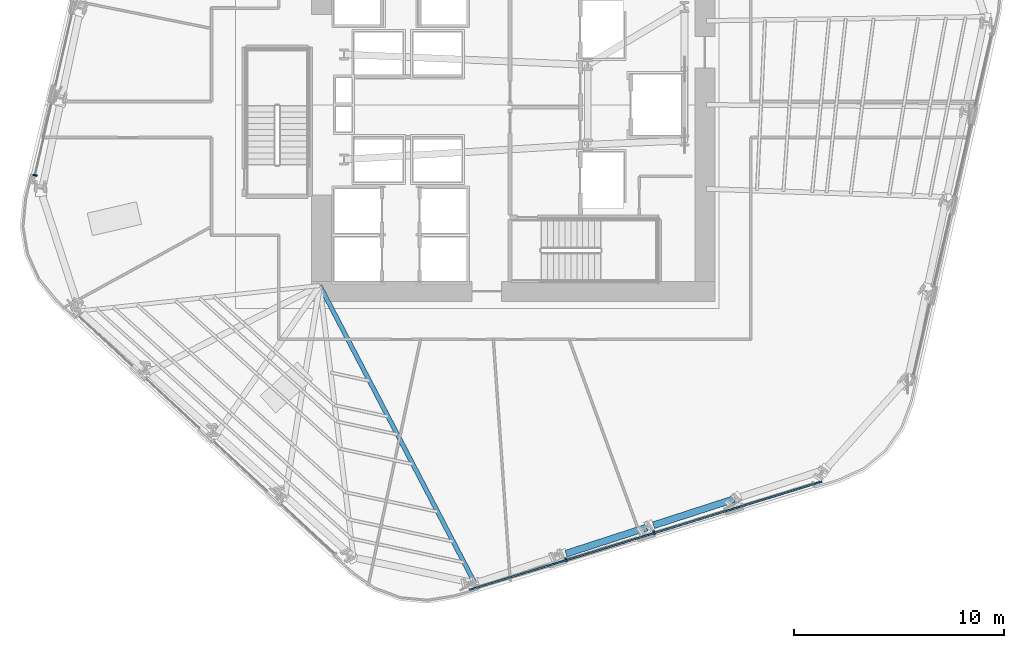
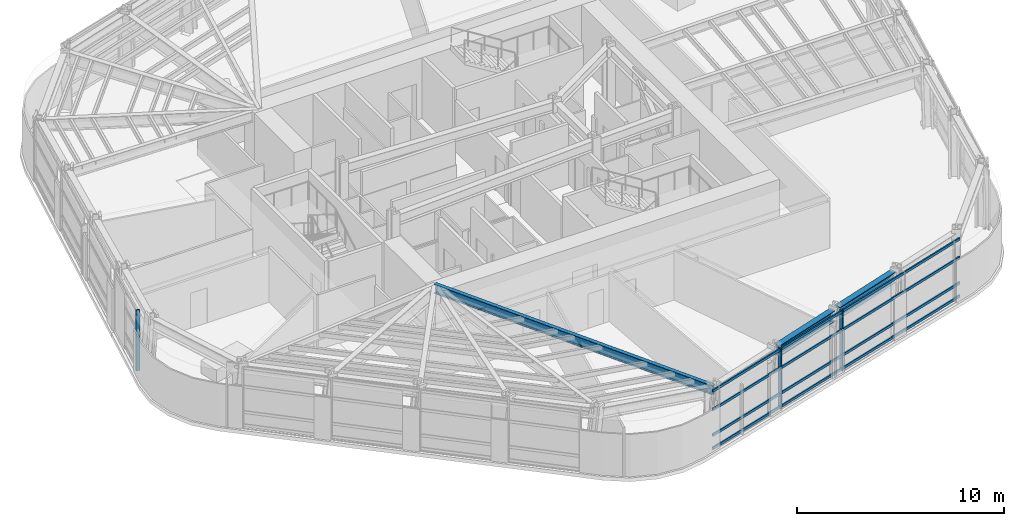
# One storey, part 3 of 16: 7 members, 3 beams, 2 elements without a shape of their own.
"""IFC4 building model written with IfcOpenShell, lengths in metres."""

from ifc_helpers import new_model, si_unit, direction, frame, origin, origin_2d, place, context, subcontext, project, spatial, rectangle, i_section, extrude, material, layer, layer_set, material_profile, profile_set, type_object, element, aggregate, save


model = new_model("IFC4")

# Units and contexts
model_context = context("Model", 3, precision=1e-05, world=origin(), true_north=direction((0.0, 1.0)))
body_context = subcontext(model_context, "Body", "Model", "MODEL_VIEW")
ifc_project = project(units=[si_unit("LENGTHUNIT", "METRE"), si_unit("AREAUNIT", "SQUARE_METRE"), si_unit("VOLUMEUNIT", "CUBIC_METRE"), si_unit("PLANEANGLEUNIT", "RADIAN"), si_unit("MASSUNIT", "GRAM", prefix="KILO")], contexts=[model_context])

# Site, building, storey
site_placement = place(None, origin())
site = spatial("IfcSite", under=ifc_project, at=site_placement, CompositionType="ELEMENT")
building_placement = place(site_placement, origin())
building = spatial("IfcBuilding", under=site, at=building_placement, Name="Valkerne Bourse Tower", CompositionType="ELEMENT")
storey_placement = place(building_placement, frame((0.0, 0.0, 97.199951171875)))
storey = spatial("IfcBuildingStorey", under=building, at=storey_placement, Name="L24", CompositionType="ELEMENT", Elevation=97.199951171875)

# Beams
ifc_material_1 = material(Name="Steel ASTM A992", Category="steel")
ifc_material_profile_1 = material_profile(ifc_material_1, i_section(OverallWidth=0.2138671875, OverallDepth=0.548583984375, WebThickness=0.0146484375, FlangeThickness=0.023681640625, FilletRadius=0.017822265625, at=origin_2d()), Name="W21X93")
ifc_profile_set_1 = profile_set([ifc_material_profile_1], Name="Steel ASTM A992")
beam_type_1 = type_object("IfcBeamType", Name="BM-W21X93", PredefinedType="BEAM", material=ifc_profile_set_1)
beam_1_placement = place(storey_placement, frame((44.9794921875, 4.235595703125, 3.3056640625), z_axis=(-0.462040380307, 0.886858887854, 0.0), x_axis=(-0.886858887854, -0.462040380307, 0.0)))
element("IfcBeam", 1, at=beam_1_placement, inside=storey, type_object=beam_type_1, Name="L24 Radial Composite Floor Beam 20", PredefinedType="BEAM", context=body_context, shape_type="SweptSolid", body=[
    extrude(i_section(OverallWidth=0.2138671875, OverallDepth=0.548583984375, WebThickness=0.0146484375, FlangeThickness=0.023681640625, FilletRadius=0.017822265625, at=origin_2d()), origin(), (0.0, 0.0, 1.0), 15.971435546875),
])
ifc_material_profile_2 = material_profile(ifc_material_1, i_section(OverallWidth=0.330078125, OverallDepth=0.647705078125, WebThickness=0.0205078125, FlangeThickness=0.037109375, FilletRadius=0.020263671875, at=origin_2d()), Name="W24X192")
ifc_profile_set_2 = profile_set([ifc_material_profile_2], Name="Steel ASTM A992")
beam_type_2 = type_object("IfcBeamType", Name="BM-W24X192", PredefinedType="SPANDREL", material=ifc_profile_set_2)
beam_2_placement = place(storey_placement, frame((49.309814453125, 5.642578125, 3.25634765625), z_axis=(0.951059361148, 0.309008238681, 0.0), x_axis=(-0.309008238681, 0.951059361148, 0.0)))
element("IfcBeam", 2, at=beam_2_placement, inside=storey, type_object=beam_type_2, Name="L24 Hexagonal Spandrel Ring Beam 21", PredefinedType="SPANDREL", context=body_context, shape_type="SweptSolid", body=[
    extrude(i_section(OverallWidth=0.330078125, OverallDepth=0.647705078125, WebThickness=0.0205078125, FlangeThickness=0.037109375, FilletRadius=0.020263671875, at=origin_2d()), origin(), (0.0, 0.0, 1.0), 4.042724609375),
])
beam_3_placement = place(storey_placement, frame((53.478271484375, 6.996826171875, 3.25634765625), z_axis=(0.951041612609, 0.309062859441, 0.0), x_axis=(-0.309062859441, 0.951041612609, 0.0)))
element("IfcBeam", 3, at=beam_3_placement, inside=storey, type_object=beam_type_2, Name="L24 Hexagonal Spandrel Ring Beam 22", PredefinedType="SPANDREL", context=body_context, shape_type="SweptSolid", body=[
    extrude(i_section(OverallWidth=0.330078125, OverallDepth=0.647705078125, WebThickness=0.0205078125, FlangeThickness=0.037109375, FilletRadius=0.020263671875, at=origin_2d()), origin(), (0.0, 0.0, 1.0), 4.04296875),
])

# Curtain wall, member
ifc_material_2 = material(Name="Aluminium AA 6063-T6", Category="aluminium")
ifc_layer = layer(ifc_material_2, 0.22998046875)
ifc_layer_set = layer_set([ifc_layer], Name="Aluminium AA 6063-T6")
curtain_wall_type = type_object("IfcCurtainWallType", Name="CW-02", PredefinedType="NOTDEFINED", material=ifc_layer_set)
curtain_wall_1_placement = place(storey_placement, origin())
curtain_wall_1 = element("IfcCurtainWall", 4, at=curtain_wall_1_placement, inside=storey, type_object=curtain_wall_type, Name="L24 Hexagonal Stick Curtain Wall Face 3", PredefinedType="NOTDEFINED")
ifc_material_profile_3 = material_profile(ifc_material_2, rectangle(XDim=0.074951171875, YDim=0.199951171875, at=origin_2d()), Name="CWM-75X200")
ifc_profile_set_3 = profile_set([ifc_material_profile_3], Name="Aluminium AA 6063-T6")
member_type_1 = type_object("IfcMemberType", Name="CW-MUL-220X75", PredefinedType="MULLION", material=ifc_profile_set_3)
member_1_placement = place(storey_placement, frame((24.0498046875, 23.6484375, 0.0), z_axis=(0.0, 0.0, 1.0), x_axis=(-0.22324789938, -0.974761701865, 0.0)))
member_1 = element("IfcMember", 5, at=member_1_placement, type_object=member_type_1, Name="CW-L24-F3 Jamb Mullion 03B", PredefinedType="MULLION", context=body_context, shape_type="SweptSolid", body=[
    extrude(rectangle(XDim=0.074951171875, YDim=0.199951171875, at=origin_2d()), origin(), (0.0, 0.0, 1.0), 3.580078125),
])
aggregate(curtain_wall_1, [member_1])

# Curtain wall, members
curtain_wall_2_placement = place(storey_placement, origin())
curtain_wall_2 = element("IfcCurtainWall", 6, at=curtain_wall_2_placement, inside=storey, type_object=curtain_wall_type, Name="L24 Hexagonal Stick Curtain Wall Face 5", PredefinedType="NOTDEFINED")
member_2_placement = place(storey_placement, frame((49.312744140625, 5.354248046875, 0.0), z_axis=(0.0, 0.0, 1.0), x_axis=(0.955790847392, 0.294047370405, 0.0)))
member_2 = element("IfcMember", 7, at=member_2_placement, type_object=member_type_1, Name="CW-L24-F5 Jamb Mullion 01A", PredefinedType="MULLION", context=body_context, shape_type="SweptSolid", body=[
    extrude(rectangle(XDim=0.074951171875, YDim=0.199951171875, at=origin_2d()), origin(), (0.0, 0.0, 1.0), 3.580078125),
])
member_3_placement = place(storey_placement, frame((53.501953125, 6.64306640625, 0.0), z_axis=(0.0, 0.0, 1.0), x_axis=(0.95579282005, 0.294040958271, 0.0)))
member_3 = element("IfcMember", 8, at=member_3_placement, type_object=member_type_1, Name="CW-L24-F5 Jamb Mullion 02A", PredefinedType="MULLION", context=body_context, shape_type="SweptSolid", body=[
    extrude(rectangle(XDim=0.074951171875, YDim=0.199951171875, at=origin_2d()), origin(), (0.0, 0.0, 1.0), 3.580078125),
])
ifc_material_profile_4 = material_profile(ifc_material_2, rectangle(XDim=0.074951171875, YDim=0.14990234375, at=origin_2d()), Name="CWT-75X150")
ifc_profile_set_4 = profile_set([ifc_material_profile_4], Name="Aluminium AA 6063-T6")
member_type_2 = type_object("IfcMemberType", Name="CW-TRN-180X65", PredefinedType="USERDEFINED", material=ifc_profile_set_4)
member_4_placement = place(storey_placement, frame((44.72802734375, 3.9228515625, 0.1201171875), z_axis=(0.955794965025, 0.294033985846, 0.0), x_axis=(-0.294033985846, 0.955794965025, 0.0)))
member_4 = element("IfcMember", 9, at=member_4_placement, type_object=member_type_2, Name="CW-L24-F5 Continuous Face Transom 1", ObjectType="TRANSOM", PredefinedType="USERDEFINED", context=body_context, shape_type="SweptSolid", body=[
    extrude(rectangle(XDim=0.074951171875, YDim=0.14990234375, at=origin_2d()), origin(), (0.0, 0.0, 1.0), 17.531982421875),
])
member_5_placement = place(storey_placement, frame((44.72802734375, 3.9228515625, 0.900146484375), z_axis=(0.955794965025, 0.294033985846, 0.0), x_axis=(-0.294033985846, 0.955794965025, 0.0)))
member_5 = element("IfcMember", 10, at=member_5_placement, type_object=member_type_2, Name="CW-L24-F5 Continuous Face Transom 2", ObjectType="TRANSOM", PredefinedType="USERDEFINED", context=body_context, shape_type="SweptSolid", body=[
    extrude(rectangle(XDim=0.074951171875, YDim=0.14990234375, at=origin_2d()), origin(), (0.0, 0.0, 1.0), 17.531982421875),
])
member_6_placement = place(storey_placement, frame((44.72802734375, 3.9228515625, 2.400146484375), z_axis=(0.955794965025, 0.294033985846, 0.0), x_axis=(-0.294033985846, 0.955794965025, 0.0)))
member_6 = element("IfcMember", 11, at=member_6_placement, type_object=member_type_2, Name="CW-L24-F5 Continuous Face Transom 3", ObjectType="TRANSOM", PredefinedType="USERDEFINED", context=body_context, shape_type="SweptSolid", body=[
    extrude(rectangle(XDim=0.074951171875, YDim=0.14990234375, at=origin_2d()), origin(), (0.0, 0.0, 1.0), 17.531982421875),
])
member_7_placement = place(storey_placement, frame((44.72802734375, 3.9228515625, 3.5), z_axis=(0.955794965025, 0.294033985846, 0.0), x_axis=(-0.294033985846, 0.955794965025, 0.0)))
member_7 = element("IfcMember", 12, at=member_7_placement, type_object=member_type_2, Name="CW-L24-F5 Continuous Face Transom 4", ObjectType="TRANSOM", PredefinedType="USERDEFINED", context=body_context, shape_type="SweptSolid", body=[
    extrude(rectangle(XDim=0.074951171875, YDim=0.14990234375, at=origin_2d()), origin(), (0.0, 0.0, 1.0), 17.531982421875),
])
aggregate(curtain_wall_2, [member_4, member_5, member_6, member_7, member_2, member_3])

save(model, "model.ifc")
